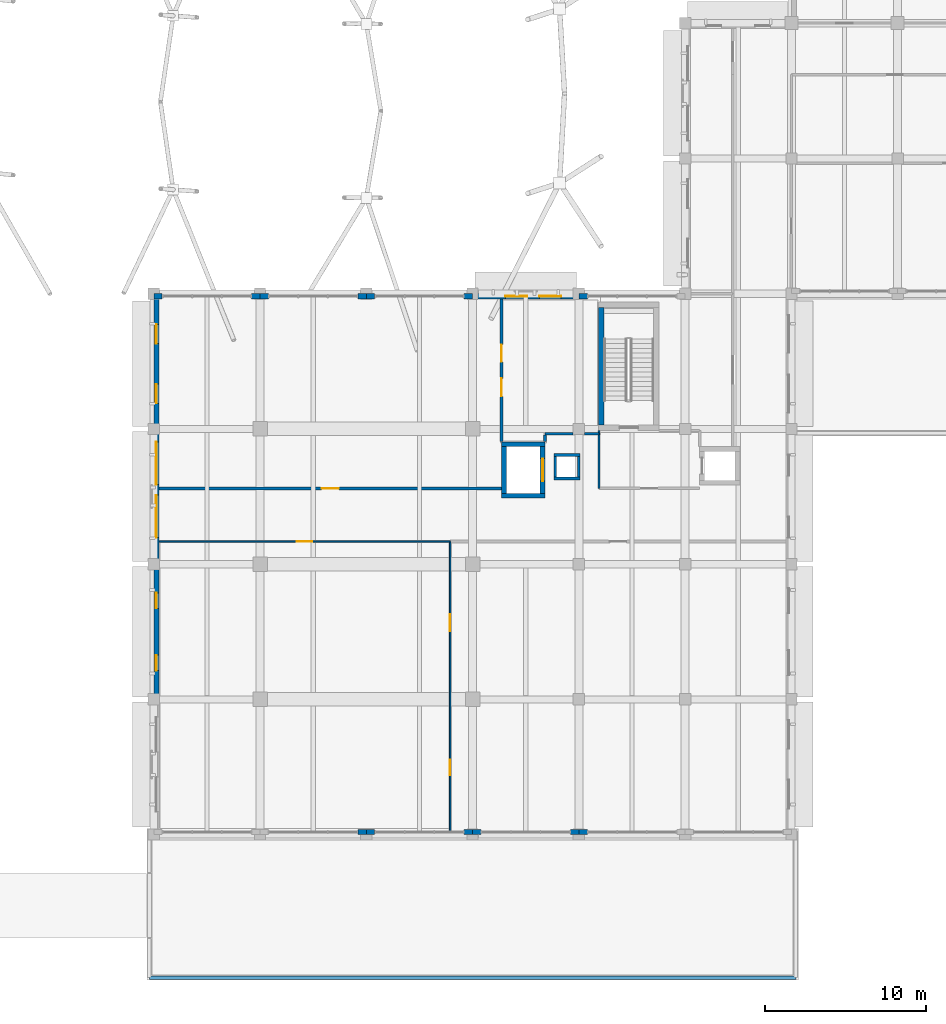
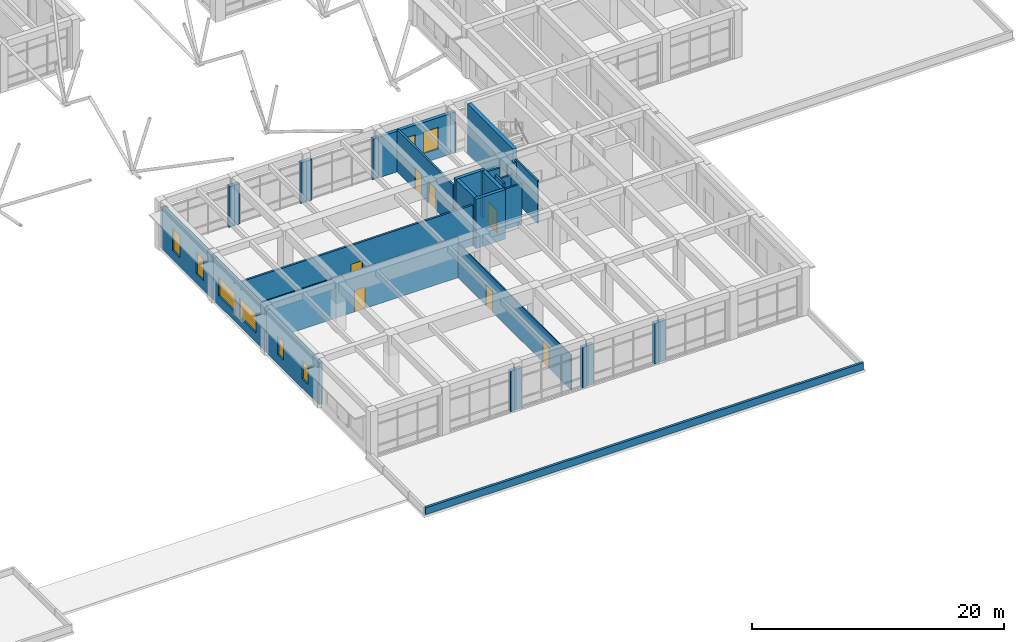
# One storey, part 45 of 75: 35 walls, 8 windows, 7 doors, 15 openings.
"""IFC4 building model written with IfcOpenShell, lengths in metres."""

import ifcopenshell
import ifcopenshell.guid

model = None  # the IFC model being written
_history = None  # IfcOwnerHistory: only IFC2X3 demands one
_inside = {}  # id of a spatial element -> (the spatial element, [elements in it])
_under = {}  # id of a project, library or spatial element -> (it, [spatial elements below it])
_declared = {}  # id of a project -> (the project, [libraries it declares])
_typed = {}  # id of a type object -> (the type object, [elements of that type])
_made_of = {}  # id of a material, layer set ... -> (it, [elements and type objects made of it])


def new_model(schema):
    """Start an empty IFC model of exactly this schema.

    Asked for "IFC4X3", IfcOpenShell would pick the latest addendum, in which some entities
    have other attributes; the version numbers below select the first issue.
    IFC2X3 requires an IfcOwnerHistory on every rooted entity: one is made here for all.
    """
    global model, _history
    if schema == "IFC4X3":
        model = ifcopenshell.file(schema_version=(4, 3, 0, 0))
    else:
        model = ifcopenshell.file(schema=schema)
    _inside.clear()
    _under.clear()
    _declared.clear()
    _typed.clear()
    _made_of.clear()
    _history = None
    if model.schema == "IFC2X3":
        org = make("IfcOrganization", Name="unknown")
        user = make(
            "IfcPersonAndOrganization",
            ThePerson=make("IfcPerson", FamilyName="unknown"),
            TheOrganization=org,
        )
        app = make(
            "IfcApplication",
            ApplicationDeveloper=org,
            Version="unknown",
            ApplicationFullName="unknown",
            ApplicationIdentifier="unknown",
        )
        _history = make(
            "IfcOwnerHistory",
            OwningUser=user,
            OwningApplication=app,
            ChangeAction="ADDED",
            CreationDate=0,
        )
    return model


def make(cls, **values):
    """One entity of the class cls with the attributes given. An attribute that is None is left unset."""
    return model.create_entity(
        cls, **{name: value for name, value in values.items() if value is not None}
    )


def rooted(cls, **values):
    """An entity with a GlobalId (a new one), such as an element, a storey or a relation."""
    return make(cls, GlobalId=ifcopenshell.guid.new(), OwnerHistory=_history, **values)


def si_unit(unit_type, name, prefix=None):
    """IfcSIUnit, for example si_unit("LENGTHUNIT", "METRE", prefix="MILLI")."""
    return make("IfcSIUnit", UnitType=unit_type, Prefix=prefix, Name=name)


def assignment(units):
    """IfcUnitAssignment: the units of a project."""
    return None if units is None else make("IfcUnitAssignment", Units=units)


def point(xyz):
    """IfcCartesianPoint."""
    return None if xyz is None else make("IfcCartesianPoint", Coordinates=xyz)


def direction(xyz):
    """IfcDirection."""
    return None if xyz is None else make("IfcDirection", DirectionRatios=xyz)


def frame(location, z_axis=None, x_axis=None):
    """IfcAxis2Placement3D, a coordinate frame: its origin and axes. An axis left out is left unset."""
    return make(
        "IfcAxis2Placement3D",
        Location=point(location),
        Axis=direction(z_axis),
        RefDirection=direction(x_axis),
    )


def frame_2d(location, x_axis=None):
    """IfcAxis2Placement2D, a coordinate frame in the plane: its origin and x axis."""
    return make(
        "IfcAxis2Placement2D", Location=point(location), RefDirection=direction(x_axis)
    )


def origin():
    """The frame at (0, 0, 0) with its axes left unset."""
    return frame((0.0, 0.0, 0.0))


def place(relative_to, where):
    """IfcLocalPlacement: puts the frame where relative to a parent placement (None: the world)."""
    return make(
        "IfcLocalPlacement", PlacementRelTo=relative_to, RelativePlacement=where
    )


def context(
    kind, dimensions, precision=None, world=None, true_north=None, identifier=None
):
    """IfcGeometricRepresentationContext, for example the 3D "Model" context."""
    return make(
        "IfcGeometricRepresentationContext",
        ContextIdentifier=identifier,
        ContextType=kind,
        CoordinateSpaceDimension=dimensions,
        Precision=precision,
        WorldCoordinateSystem=world,
        TrueNorth=true_north,
    )


def subcontext(parent, identifier, kind, view, scale=None):
    """IfcGeometricRepresentationSubContext, for example "Body" below "Model"."""
    return make(
        "IfcGeometricRepresentationSubContext",
        ContextIdentifier=identifier,
        ContextType=kind,
        ParentContext=parent,
        TargetScale=scale,
        TargetView=view,
    )


def project(units=None, contexts=None):
    """IfcProject with its units and contexts."""
    return rooted(
        "IfcProject",
        Name="project",
        RepresentationContexts=contexts,
        UnitsInContext=assignment(units),
    )


def spatial(cls, under=None, at=None, **own):
    """A site, building, storey or space (cls), placed at a placement, below another one or the project."""
    s = rooted(cls, ObjectPlacement=at, **own)
    if under is not None:
        _under.setdefault(under.id(), (under, []))[1].append(s)
    return s


def profile(cls, at=None, kind="AREA", **sizes):
    """A parametric profile (cls). Its sizes go by their IFC names, for example OverallWidth=200.0."""
    return make(cls, ProfileType=kind, Position=at, **sizes)


def rectangle(**sizes):
    """IfcRectangleProfileDef."""
    return profile("IfcRectangleProfileDef", **sizes)


def extrude(swept, where, along, depth):
    """IfcExtrudedAreaSolid: the profile swept, set in the frame where, extruded along a direction by depth."""
    return make(
        "IfcExtrudedAreaSolid",
        SweptArea=swept,
        Position=where,
        ExtrudedDirection=direction(along),
        Depth=depth,
    )


def shape(context_of_items, identifier, shape_type, items):
    """IfcShapeRepresentation: the items that make up one representation, for example the "Body"."""
    return make(
        "IfcShapeRepresentation",
        ContextOfItems=context_of_items,
        RepresentationIdentifier=identifier,
        RepresentationType=shape_type,
        Items=items,
    )


def material(Name=None, Category=None):
    """IfcMaterial."""
    return make("IfcMaterial", Name=Name, Category=Category)


def layer(
    of_material, thickness, ventilated=None, Name=None, Category=None, Priority=None
):
    """IfcMaterialLayer: one layer of a wall or slab, of a material (None: an air gap)."""
    return make(
        "IfcMaterialLayer",
        Material=of_material,
        LayerThickness=thickness,
        IsVentilated=ventilated,
        Name=Name,
        Category=Category,
        Priority=Priority,
    )


def layer_set(layers, Name=None):
    """IfcMaterialLayerSet."""
    return make("IfcMaterialLayerSet", MaterialLayers=layers, LayerSetName=Name)


def made_of(thing, what):
    """Note that an element or type object is made of a material, layer set ...; save() writes the relation."""
    if what is not None:
        _made_of.setdefault(what.id(), (what, []))[1].append(thing)
    return thing


def type_object(cls, material=None, **own):
    """A type object (cls), such as IfcWallType, which elements share."""
    return made_of(rooted(cls, **own), material)


def element(
    cls,
    number,
    at=None,
    inside=None,
    cuts=None,
    type_object=None,
    material=None,
    context=None,
    identifier="Body",
    shape_type=None,
    held_by="IfcProductDefinitionShape",
    body=None,
    shapes=None,
    **own,
):
    """One element of the class cls, such as IfcWall. Its Tag is "e" and its number.

    at: its placement. inside: the storey or other place that contains it. cuts: it is an
    opening in that element (IfcRelVoidsElement). A single representation is given by context,
    identifier, shape_type and body (its items); several are given by shapes. held_by: the class
    of the entity that holds the representations. save() writes the other relations.
    """
    e = rooted(cls, Tag="e%d" % number, ObjectPlacement=at, **own)
    if body is not None:
        shapes = [shape(context, identifier, shape_type, body)]
    if shapes is not None:
        e.Representation = make(held_by, Representations=shapes)
    if inside is not None:
        _inside.setdefault(inside.id(), (inside, []))[1].append(e)
    if cuts is not None:
        rooted(
            "IfcRelVoidsElement", RelatingBuildingElement=cuts, RelatedOpeningElement=e
        )
    if type_object is not None:
        _typed.setdefault(type_object.id(), (type_object, []))[1].append(e)
    return made_of(e, material)


def fill(opening, filler):
    """IfcRelFillsElement: the door or window that sits in an opening."""
    return rooted(
        "IfcRelFillsElement",
        RelatingOpeningElement=opening,
        RelatedBuildingElement=filler,
    )


def aggregate(whole, parts):
    """IfcRelAggregates: a whole, such as a stair, and the parts it consists of."""
    return rooted("IfcRelAggregates", RelatingObject=whole, RelatedObjects=parts)


def save(model, path):
    """Write the relations noted so far, then the file.

    IfcRelAggregates (storeys below a building ...), IfcRelContainedInSpatialStructure (elements
    in a storey), IfcRelDefinesByType, IfcRelAssociatesMaterial and IfcRelDeclares: one each for
    every whole, place, type object, material and project.
    """
    for whole, parts in _under.values():
        aggregate(whole, parts)
    for where, things in _inside.values():
        rooted(
            "IfcRelContainedInSpatialStructure",
            RelatedElements=things,
            RelatingStructure=where,
        )
    for kind, things in _typed.values():
        rooted("IfcRelDefinesByType", RelatedObjects=things, RelatingType=kind)
    for what, things in _made_of.values():
        rooted("IfcRelAssociatesMaterial", RelatedObjects=things, RelatingMaterial=what)
    for by, libraries in _declared.values():
        rooted("IfcRelDeclares", RelatingContext=by, RelatedDefinitions=libraries)
    model.write(path)


model = new_model("IFC4")

# Units and contexts
model_context = context("Model", 3, precision=1e-05, world=origin(), true_north=direction((0.0, 1.0)))
body_context = subcontext(model_context, "Body", "Model", "MODEL_VIEW")
ifc_project = project(units=[si_unit("LENGTHUNIT", "METRE"), si_unit("AREAUNIT", "SQUARE_METRE"), si_unit("VOLUMEUNIT", "CUBIC_METRE"), si_unit("PLANEANGLEUNIT", "RADIAN"), si_unit("MASSUNIT", "GRAM", prefix="KILO")], contexts=[model_context])

# Site, building, storey
site_placement = place(None, origin())
site = spatial("IfcSite", under=ifc_project, at=site_placement, CompositionType="ELEMENT")
building_placement = place(site_placement, origin())
building = spatial("IfcBuilding", under=site, at=building_placement, Name="Kolvaren Faculty of Natural Sciences", CompositionType="ELEMENT")
storey_placement = place(building_placement, frame((0.0, 0.0, 5.39990234375)))
storey = spatial("IfcBuildingStorey", under=building, at=storey_placement, Name="L01", CompositionType="ELEMENT", Elevation=5.39990234375)

# Wall
ifc_material_1 = material(Name="Concrete C40/50", Category="concrete")
ifc_layer_1 = layer(ifc_material_1, 0.35009765625)
ifc_layer_set_1 = layer_set([ifc_layer_1], Name="Concrete C40/50")
wall_type_1 = type_object("IfcWallType", Name="CoreShearWall_350", PredefinedType="SHEAR", material=ifc_layer_set_1)
wall_1_placement = place(storey_placement, frame((127.0, 34.050048828125, 0.0), z_axis=(0.0, 0.0, 1.0), x_axis=(0.0, 1.0, 0.0)))
element("IfcWall", 1, at=wall_1_placement, inside=storey, type_object=wall_type_1, Name="L01 CORE-C3 stair shear wall W", PredefinedType="SHEAR", context=body_context, shape_type="SweptSolid", body=[
    extrude(rectangle(XDim=7.27490234375, YDim=0.35009765625, at=frame_2d((3.637451171875, 0.0))), origin(), (0.0, 0.0, 1.0), 4.800048828125),
])

# Wall, opening, door
ifc_material_2 = material(Name="Acoustic mineral-wool insulated gypsum partition")
ifc_layer_2 = layer(ifc_material_2, 0.094970703125)
ifc_layer_set_2 = layer_set([ifc_layer_2], Name="Acoustic mineral-wool insulated gypsum partition")
wall_type_2 = type_object("IfcWallType", Name="CubiclePartition_095", PredefinedType="PARTITIONING", material=ifc_layer_set_2)
wall_2_placement = place(storey_placement, frame((99.52197265625, 26.800048828125, 0.0), z_axis=(0.0, 0.0, 1.0), x_axis=(1.0, 0.0, 0.0)))
wall_2 = element("IfcWall", 2, at=wall_2_placement, inside=storey, type_object=wall_type_2, Name="L01 interior partition PW-095", PredefinedType="PARTITIONING", context=body_context, shape_type="SweptSolid", body=[
    extrude(rectangle(XDim=18.078125, YDim=0.094970703125, at=frame_2d((9.0390625, 0.0))), origin(), (0.0, 0.0, 1.0), 3.93505859375),
])
opening_1_placement = place(wall_2_placement, frame((8.553955078125, 0.0, 0.0)))
opening_1 = element("IfcOpeningElement", 3, at=opening_1_placement, cuts=wall_2, Name="Opening ID-14", PredefinedType="OPENING", context=body_context, shape_type="SweptSolid", body=[
    extrude(rectangle(XDim=0.969970703125, YDim=2.10009765625, at=frame_2d((0.48486328125, 1.050048828125))), frame((0.0, 0.057373046875, 0.0), z_axis=(0.0, -1.0, 0.0), x_axis=(1.0, 0.0, 0.0)), (0.0, 0.0, 1.0), 0.114990234375),
])
ifc_material_3 = material(Name="Solid-core hardwood veneer door leaf in steel frame", Category="steel")
door_type_1 = type_object("IfcDoorType", Name="InteriorRoomDoor_970x2100", OperationType="NOTDEFINED", PredefinedType="DOOR", material=ifc_material_3)
door_1_placement = place(opening_1_placement, origin())
door_1 = element("IfcDoor", 4, at=door_1_placement, inside=storey, type_object=door_type_1, Name="D-L01-0145", OperationType="SINGLE_SWING_LEFT", OverallHeight=2.10009765625, OverallWidth=0.969970703125, PredefinedType="DOOR", context=body_context, shape_type="SweptSolid", body=[
    extrude(rectangle(XDim=0.969970703125, YDim=2.10009765625, at=frame_2d((0.48486328125, 1.050048828125))), frame((0.0, 0.02490234375, 0.0), z_axis=(0.0, -1.0, 0.0), x_axis=(1.0, 0.0, 0.0)), (0.0, 0.0, 1.0), 0.050048828125),
])
fill(opening_1, door_1)

# Wall, openings, doors
wall_3_placement = place(storey_placement, frame((117.60009765625, 26.800048828125, 0.0), z_axis=(0.0, 0.0, 1.0), x_axis=(0.0, -1.0, 0.0)))
wall_3 = element("IfcWall", 5, at=wall_3_placement, inside=storey, type_object=wall_type_2, Name="L01 interior partition PW-095", PredefinedType="PARTITIONING", context=body_context, shape_type="SweptSolid", body=[
    extrude(rectangle(XDim=18.0, YDim=0.094970703125, at=frame_2d((9.0, 0.0))), origin(), (0.0, 0.0, 1.0), 3.385009765625),
])
opening_2_placement = place(wall_3_placement, frame((13.554931640625, 0.0, 0.0)))
opening_2 = element("IfcOpeningElement", 6, at=opening_2_placement, cuts=wall_3, Name="Opening ID-14", PredefinedType="OPENING", context=body_context, shape_type="SweptSolid", body=[
    extrude(rectangle(XDim=0.969970703125, YDim=2.10009765625, at=frame_2d((0.48486328125, 1.050048828125))), frame((0.0, 0.057373046875, 0.0), z_axis=(0.0, -1.0, 0.0), x_axis=(1.0, 0.0, 0.0)), (0.0, 0.0, 1.0), 0.114990234375),
])
opening_3_placement = place(wall_3_placement, frame((4.52490234375, 0.0, 0.0)))
opening_3 = element("IfcOpeningElement", 7, at=opening_3_placement, cuts=wall_3, Name="Opening ID-15", PredefinedType="OPENING", context=body_context, shape_type="SweptSolid", body=[
    extrude(rectangle(XDim=1.030029296875, YDim=2.10009765625, at=frame_2d((0.51513671875, 1.050048828125))), frame((0.0, 0.057373046875, 0.0), z_axis=(0.0, -1.0, 0.0), x_axis=(1.0, 0.0, 0.0)), (0.0, 0.0, 1.0), 0.114990234375),
])
door_type_2 = type_object("IfcDoorType", Name="InteriorRoomDoor_1030x2100", OperationType="NOTDEFINED", PredefinedType="DOOR", material=ifc_material_3)
door_2_placement = place(opening_3_placement, origin())
door_2 = element("IfcDoor", 8, at=door_2_placement, inside=storey, type_object=door_type_2, Name="D-L01-0148", OperationType="SINGLE_SWING_RIGHT", OverallHeight=2.10009765625, OverallWidth=1.030029296875, PredefinedType="DOOR", context=body_context, shape_type="SweptSolid", body=[
    extrude(rectangle(XDim=1.030029296875, YDim=2.10009765625, at=frame_2d((0.51513671875, 1.050048828125))), frame((0.0, 0.02490234375, 0.0), z_axis=(0.0, -1.0, 0.0), x_axis=(1.0, 0.0, 0.0)), (0.0, 0.0, 1.0), 0.050048828125),
])
fill(opening_3, door_2)
door_3_placement = place(opening_2_placement, origin())
door_3 = element("IfcDoor", 9, at=door_3_placement, inside=storey, type_object=door_type_1, Name="D-L01-0146", OperationType="SINGLE_SWING_RIGHT", OverallHeight=2.10009765625, OverallWidth=0.969970703125, PredefinedType="DOOR", context=body_context, shape_type="SweptSolid", body=[
    extrude(rectangle(XDim=0.969970703125, YDim=2.10009765625, at=frame_2d((0.48486328125, 1.050048828125))), frame((0.0, 0.02490234375, 0.0), z_axis=(0.0, -1.0, 0.0), x_axis=(1.0, 0.0, 0.0)), (0.0, 0.0, 1.0), 0.050048828125),
])
fill(opening_2, door_3)

# Walls
ifc_material_4 = material(Name="Sandstone-faced insulated cavity masonry", Category="masonry")
ifc_layer_3 = layer(ifc_material_4, 0.320068359375)
ifc_layer_set_3 = layer_set([ifc_layer_3], Name="Sandstone-faced insulated cavity masonry")
wall_type_3 = type_object("IfcWallType", Name="ExteriorCavityWall_320", PredefinedType="STANDARD", material=ifc_layer_set_3)
for number, where, z_axis, x_axis, name in (
    (10, (126.1201171875, 8.760009765625, 0.0), (0.0, 0.0, 1.0), (-1.0, 0.0, 0.0), "L01 curtain-wall pier stub 235"),
    (11, (125.60009765625, 8.760009765625, 0.0), (0.0, 0.0, 1.0), (-1.0, 0.0, 0.0), "L01 curtain-wall pier stub 236"),
    (12, (119.52001953125, 8.760009765625, 0.0), (0.0, 0.0, 1.0), (-1.0, 0.0, 0.0), "L01 curtain-wall pier stub 237"),
    (13, (119.0, 8.760009765625, 0.0), (0.0, 0.0, 1.0), (-1.0, 0.0, 0.0), "L01 curtain-wall pier stub 238"),
    (14, (112.919921875, 8.760009765625, 0.0), (0.0, 0.0, 1.0), (-1.0, 0.0, 0.0), "L01 curtain-wall pier stub 239"),
    (15, (112.39990234375, 8.760009765625, 0.0), (0.0, 0.0, 1.0), (-1.0, 0.0, 0.0), "L01 curtain-wall pier stub 240"),
):
    element("IfcWall", number, at=place(storey_placement, frame(where, z_axis=z_axis, x_axis=x_axis)), inside=storey, type_object=wall_type_3, Name=name, PredefinedType="STANDARD", context=body_context, shape_type="SweptSolid", body=[
        extrude(rectangle(XDim=0.52001953125, YDim=0.320068359375, at=frame_2d((0.260009765625, 0.0))), origin(), (0.0, 0.0, 1.0), 3.93505859375),
    ])

# Wall, openings, windows
wall_4_placement = place(storey_placement, frame((99.360107421875, 17.0, 0.0), z_axis=(0.0, 0.0, 1.0), x_axis=(0.0, 1.0, 0.0)))
wall_4 = element("IfcWall", 16, at=wall_4_placement, inside=storey, type_object=wall_type_3, Name="L01 exterior masonry wall EW-320 (245)", PredefinedType="STANDARD", context=body_context, shape_type="SweptSolid", body=[
    extrude(rectangle(XDim=8.39990234375, YDim=0.320068359375, at=frame_2d((4.199951171875, 0.0))), origin(), (0.0, 0.0, 1.0), 4.085205078125),
])
opening_4_placement = place(wall_4_placement, frame((1.79296875, 0.0, 0.89990234375)))
opening_4 = element("IfcOpeningElement", 17, at=opening_4_placement, cuts=wall_4, Name="Opening WIN-23", PredefinedType="OPENING", context=body_context, shape_type="SweptSolid", body=[
    extrude(rectangle(XDim=0.949951171875, YDim=1.800048828125, at=frame_2d((0.47509765625, 0.89990234375))), frame((0.0, 0.169921875, 0.0), z_axis=(0.0, -1.0, 0.0), x_axis=(1.0, 0.0, 0.0)), (0.0, 0.0, 1.0), 0.340087890625),
])
opening_5_placement = place(wall_4_placement, frame((5.656982421875, 0.0, 0.89990234375)))
opening_5 = element("IfcOpeningElement", 18, at=opening_5_placement, cuts=wall_4, Name="Opening WIN-23", PredefinedType="OPENING", context=body_context, shape_type="SweptSolid", body=[
    extrude(rectangle(XDim=0.949951171875, YDim=1.800048828125, at=frame_2d((0.47509765625, 0.89990234375))), frame((0.0, 0.169921875, 0.0), z_axis=(0.0, -1.0, 0.0), x_axis=(1.0, 0.0, 0.0)), (0.0, 0.0, 1.0), 0.340087890625),
])
ifc_material_5 = material(Name="Double low-E solar control insulated glazing", Category="glass")
window_type_1 = type_object("IfcWindowType", Name="AluWindow_WIN23_950x1800", PartitioningType="SINGLE_PANEL", PredefinedType="WINDOW", material=ifc_material_5)
window_1_placement = place(opening_4_placement, origin())
window_1 = element("IfcWindow", 19, at=window_1_placement, inside=storey, type_object=window_type_1, Name="WIN-L01-0209", OverallHeight=1.800048828125, OverallWidth=0.949951171875, PartitioningType="SINGLE_PANEL", PredefinedType="WINDOW", context=body_context, shape_type="SweptSolid", body=[
    extrude(rectangle(XDim=0.949951171875, YDim=1.800048828125, at=frame_2d((0.47509765625, 0.89990234375))), frame((0.0, 0.030029296875, 0.0), z_axis=(0.0, -1.0, 0.0), x_axis=(1.0, 0.0, 0.0)), (0.0, 0.0, 1.0), 0.06005859375),
])
fill(opening_4, window_1)
window_2_placement = place(opening_5_placement, origin())
window_2 = element("IfcWindow", 20, at=window_2_placement, inside=storey, type_object=window_type_1, Name="WIN-L01-0210", OverallHeight=1.800048828125, OverallWidth=0.949951171875, PartitioningType="SINGLE_PANEL", PredefinedType="WINDOW", context=body_context, shape_type="SweptSolid", body=[
    extrude(rectangle(XDim=0.949951171875, YDim=1.800048828125, at=frame_2d((0.47509765625, 0.89990234375))), frame((0.0, 0.030029296875, 0.0), z_axis=(0.0, -1.0, 0.0), x_axis=(1.0, 0.0, 0.0)), (0.0, 0.0, 1.0), 0.06005859375),
])
fill(opening_5, window_2)

wall_5_placement = place(storey_placement, frame((99.360107421875, 25.39990234375, 0.0), z_axis=(0.0, 0.0, 1.0), x_axis=(0.0, 1.0, 0.0)))
wall_5 = element("IfcWall", 21, at=wall_5_placement, inside=storey, type_object=wall_type_3, Name="L01 exterior masonry wall EW-320 (246)", PredefinedType="STANDARD", context=body_context, shape_type="SweptSolid", body=[
    extrude(rectangle(XDim=8.400146484375, YDim=0.320068359375, at=frame_2d((4.2001953125, 0.0))), origin(), (0.0, 0.0, 1.0), 4.085205078125),
])
opening_6_placement = place(wall_5_placement, frame((1.639892578125, 0.0, 0.89990234375)))
opening_6 = element("IfcOpeningElement", 22, at=opening_6_placement, cuts=wall_5, Name="Opening WIN-24", PredefinedType="OPENING", context=body_context, shape_type="SweptSolid", body=[
    extrude(rectangle(XDim=2.64990234375, YDim=1.85009765625, at=frame_2d((1.324951171875, 0.925048828125))), frame((0.0, 0.169921875, 0.0), z_axis=(0.0, -1.0, 0.0), x_axis=(1.0, 0.0, 0.0)), (0.0, 0.0, 1.0), 0.340087890625),
])
opening_7_placement = place(wall_5_placement, frame((4.93994140625, 0.0, 0.89990234375)))
opening_7 = element("IfcOpeningElement", 23, at=opening_7_placement, cuts=wall_5, Name="Opening WIN-24", PredefinedType="OPENING", context=body_context, shape_type="SweptSolid", body=[
    extrude(rectangle(XDim=2.64990234375, YDim=1.85009765625, at=frame_2d((1.324951171875, 0.925048828125))), frame((0.0, 0.169921875, 0.0), z_axis=(0.0, -1.0, 0.0), x_axis=(1.0, 0.0, 0.0)), (0.0, 0.0, 1.0), 0.340087890625),
])
window_type_2 = type_object("IfcWindowType", Name="AluWindow_WIN24_2650x1850", PartitioningType="SINGLE_PANEL", PredefinedType="WINDOW", material=ifc_material_5)
window_3_placement = place(opening_6_placement, origin())
window_3 = element("IfcWindow", 24, at=window_3_placement, inside=storey, type_object=window_type_2, Name="WIN-L01-0211", OverallHeight=1.85009765625, OverallWidth=2.64990234375, PartitioningType="SINGLE_PANEL", PredefinedType="WINDOW", context=body_context, shape_type="SweptSolid", body=[
    extrude(rectangle(XDim=2.64990234375, YDim=1.85009765625, at=frame_2d((1.324951171875, 0.925048828125))), frame((0.0, 0.030029296875, 0.0), z_axis=(0.0, -1.0, 0.0), x_axis=(1.0, 0.0, 0.0)), (0.0, 0.0, 1.0), 0.06005859375),
])
fill(opening_6, window_3)
window_4_placement = place(opening_7_placement, origin())
window_4 = element("IfcWindow", 25, at=window_4_placement, inside=storey, type_object=window_type_2, Name="WIN-L01-0212", OverallHeight=1.85009765625, OverallWidth=2.64990234375, PartitioningType="SINGLE_PANEL", PredefinedType="WINDOW", context=body_context, shape_type="SweptSolid", body=[
    extrude(rectangle(XDim=2.64990234375, YDim=1.85009765625, at=frame_2d((1.324951171875, 0.925048828125))), frame((0.0, 0.030029296875, 0.0), z_axis=(0.0, -1.0, 0.0), x_axis=(1.0, 0.0, 0.0)), (0.0, 0.0, 1.0), 0.06005859375),
])
fill(opening_7, window_4)

wall_6_placement = place(storey_placement, frame((99.360107421875, 33.800048828125, 0.0), z_axis=(0.0, 0.0, 1.0), x_axis=(0.0, 1.0, 0.0)))
wall_6 = element("IfcWall", 26, at=wall_6_placement, inside=storey, type_object=wall_type_3, Name="L01 exterior masonry wall EW-320 (247)", PredefinedType="STANDARD", context=body_context, shape_type="SweptSolid", body=[
    extrude(rectangle(XDim=8.079833984375, YDim=0.320068359375, at=frame_2d((4.0400390625, 0.0))), origin(), (0.0, 0.0, 1.0), 4.085205078125),
])
opening_8_placement = place(wall_6_placement, frame((1.58154296875, 0.0, 0.89990234375)))
opening_8 = element("IfcOpeningElement", 27, at=opening_8_placement, cuts=wall_6, Name="Opening WIN-01", PredefinedType="OPENING", context=body_context, shape_type="SweptSolid", body=[
    extrude(rectangle(XDim=1.199951171875, YDim=2.10009765625, at=frame_2d((0.60009765625, 1.050048828125))), frame((0.0, 0.169921875, 0.0), z_axis=(0.0, -1.0, 0.0), x_axis=(1.0, 0.0, 0.0)), (0.0, 0.0, 1.0), 0.340087890625),
])
opening_9_placement = place(wall_6_placement, frame((5.29833984375, 0.0, 0.89990234375)))
opening_9 = element("IfcOpeningElement", 28, at=opening_9_placement, cuts=wall_6, Name="Opening WIN-01", PredefinedType="OPENING", context=body_context, shape_type="SweptSolid", body=[
    extrude(rectangle(XDim=1.199951171875, YDim=2.10009765625, at=frame_2d((0.60009765625, 1.050048828125))), frame((0.0, 0.169921875, 0.0), z_axis=(0.0, -1.0, 0.0), x_axis=(1.0, 0.0, 0.0)), (0.0, 0.0, 1.0), 0.340087890625),
])
window_type_3 = type_object("IfcWindowType", Name="AluWindow_WIN01_1200x2100", PartitioningType="SINGLE_PANEL", PredefinedType="WINDOW", material=ifc_material_5)
window_5_placement = place(opening_8_placement, origin())
window_5 = element("IfcWindow", 29, at=window_5_placement, inside=storey, type_object=window_type_3, Name="WIN-L01-0213", OverallHeight=2.10009765625, OverallWidth=1.199951171875, PartitioningType="SINGLE_PANEL", PredefinedType="WINDOW", context=body_context, shape_type="SweptSolid", body=[
    extrude(rectangle(XDim=1.199951171875, YDim=2.10009765625, at=frame_2d((0.60009765625, 1.050048828125))), frame((0.0, 0.030029296875, 0.0), z_axis=(0.0, -1.0, 0.0), x_axis=(1.0, 0.0, 0.0)), (0.0, 0.0, 1.0), 0.06005859375),
])
fill(opening_8, window_5)
window_6_placement = place(opening_9_placement, origin())
window_6 = element("IfcWindow", 30, at=window_6_placement, inside=storey, type_object=window_type_3, Name="WIN-L01-0214", OverallHeight=2.10009765625, OverallWidth=1.199951171875, PartitioningType="SINGLE_PANEL", PredefinedType="WINDOW", context=body_context, shape_type="SweptSolid", body=[
    extrude(rectangle(XDim=1.199951171875, YDim=2.10009765625, at=frame_2d((0.60009765625, 1.050048828125))), frame((0.0, 0.030029296875, 0.0), z_axis=(0.0, -1.0, 0.0), x_axis=(1.0, 0.0, 0.0)), (0.0, 0.0, 1.0), 0.06005859375),
])
fill(opening_9, window_6)

# Walls
for number, where, z_axis, x_axis, name in (
    (31, (99.199951171875, 42.0400390625, 0.0), (0.0, 0.0, 1.0), (1.0, 0.0, 0.0), "L01 curtain-wall pier stub 248"),
    (32, (105.280029296875, 42.0400390625, 0.0), (0.0, 0.0, 1.0), (1.0, 0.0, 0.0), "L01 curtain-wall pier stub 249"),
    (33, (105.800048828125, 42.0400390625, 0.0), (0.0, 0.0, 1.0), (1.0, 0.0, 0.0), "L01 curtain-wall pier stub 250"),
    (34, (111.8798828125, 42.0400390625, 0.0), (0.0, 0.0, 1.0), (1.0, 0.0, 0.0), "L01 curtain-wall pier stub 251"),
    (35, (112.39990234375, 42.0400390625, 0.0), (0.0, 0.0, 1.0), (1.0, 0.0, 0.0), "L01 curtain-wall pier stub 252"),
    (36, (118.47998046875, 42.0400390625, 0.0), (0.0, 0.0, 1.0), (1.0, 0.0, 0.0), "L01 curtain-wall pier stub 253"),
):
    element("IfcWall", number, at=place(storey_placement, frame(where, z_axis=z_axis, x_axis=x_axis)), inside=storey, type_object=wall_type_3, Name=name, PredefinedType="STANDARD", context=body_context, shape_type="SweptSolid", body=[
        extrude(rectangle(XDim=0.52001953125, YDim=0.320068359375, at=frame_2d((0.260009765625, 0.0))), origin(), (0.0, 0.0, 1.0), 3.93505859375),
    ])

# Wall, openings, windows
wall_7_placement = place(storey_placement, frame((119.0, 42.0400390625, 0.0), z_axis=(0.0, 0.0, 1.0), x_axis=(1.0, 0.0, 0.0)))
wall_7 = element("IfcWall", 37, at=wall_7_placement, inside=storey, type_object=wall_type_3, Name="L01 exterior masonry wall EW-320 (254)", PredefinedType="STANDARD", context=body_context, shape_type="SweptSolid", body=[
    extrude(rectangle(XDim=6.60009765625, YDim=0.320068359375, at=frame_2d((3.300048828125, 0.0))), origin(), (0.0, 0.0, 1.0), 3.93505859375),
])
opening_10_placement = place(wall_7_placement, frame((2.0400390625, 0.0, 0.89990234375)))
opening_10 = element("IfcOpeningElement", 38, at=opening_10_placement, cuts=wall_7, Name="Opening WIN-02", PredefinedType="OPENING", context=body_context, shape_type="SweptSolid", body=[
    extrude(rectangle(XDim=1.35009765625, YDim=2.10009765625, at=frame_2d((0.675048828125, 1.050048828125))), frame((0.0, 0.169921875, 0.0), z_axis=(0.0, -1.0, 0.0), x_axis=(1.0, 0.0, 0.0)), (0.0, 0.0, 1.0), 0.340087890625),
])
opening_11_placement = place(wall_7_placement, frame((4.14306640625, 0.0, 0.89990234375)))
opening_11 = element("IfcOpeningElement", 39, at=opening_11_placement, cuts=wall_7, Name="Opening WIN-02", PredefinedType="OPENING", context=body_context, shape_type="SweptSolid", body=[
    extrude(rectangle(XDim=1.35009765625, YDim=2.10009765625, at=frame_2d((0.675048828125, 1.050048828125))), frame((0.0, 0.169921875, 0.0), z_axis=(0.0, -1.0, 0.0), x_axis=(1.0, 0.0, 0.0)), (0.0, 0.0, 1.0), 0.340087890625),
])
window_type_4 = type_object("IfcWindowType", Name="AluWindow_WIN02_1350x2100", PartitioningType="SINGLE_PANEL", PredefinedType="WINDOW", material=ifc_material_5)
window_7_placement = place(opening_10_placement, origin())
window_7 = element("IfcWindow", 40, at=window_7_placement, inside=storey, type_object=window_type_4, Name="WIN-L01-0215", OverallHeight=2.10009765625, OverallWidth=1.35009765625, PartitioningType="SINGLE_PANEL", PredefinedType="WINDOW", context=body_context, shape_type="SweptSolid", body=[
    extrude(rectangle(XDim=1.35009765625, YDim=2.10009765625, at=frame_2d((0.675048828125, 1.050048828125))), frame((0.0, 0.030029296875, 0.0), z_axis=(0.0, -1.0, 0.0), x_axis=(1.0, 0.0, 0.0)), (0.0, 0.0, 1.0), 0.06005859375),
])
fill(opening_10, window_7)
window_8_placement = place(opening_11_placement, origin())
window_8 = element("IfcWindow", 41, at=window_8_placement, inside=storey, type_object=window_type_4, Name="WIN-L01-0216", OverallHeight=2.10009765625, OverallWidth=1.35009765625, PartitioningType="SINGLE_PANEL", PredefinedType="WINDOW", context=body_context, shape_type="SweptSolid", body=[
    extrude(rectangle(XDim=1.35009765625, YDim=2.10009765625, at=frame_2d((0.675048828125, 1.050048828125))), frame((0.0, 0.030029296875, 0.0), z_axis=(0.0, -1.0, 0.0), x_axis=(1.0, 0.0, 0.0)), (0.0, 0.0, 1.0), 0.06005859375),
])
fill(opening_11, window_8)

# Wall
wall_8_placement = place(storey_placement, frame((125.60009765625, 42.0400390625, 0.0), z_axis=(0.0, 0.0, 1.0), x_axis=(1.0, 0.0, 0.0)))
element("IfcWall", 42, at=wall_8_placement, inside=storey, type_object=wall_type_3, Name="L01 curtain-wall pier stub 255", PredefinedType="STANDARD", context=body_context, shape_type="SweptSolid", body=[
    extrude(rectangle(XDim=0.52001953125, YDim=0.320068359375, at=frame_2d((0.260009765625, 0.0))), origin(), (0.0, 0.0, 1.0), 3.93505859375),
])

# Wall, openings, doors
ifc_layer_4 = layer(ifc_material_2, 0.179931640625)
ifc_layer_set_4 = layer_set([ifc_layer_4], Name="Acoustic mineral-wool insulated gypsum partition")
wall_type_4 = type_object("IfcWallType", Name="LabPartitionWall_180", PredefinedType="PARTITIONING", material=ifc_layer_set_4)
wall_9_placement = place(storey_placement, frame((120.800048828125, 41.8779296875, 0.0), z_axis=(0.0, 0.0, 1.0), x_axis=(0.0, -1.0, 0.0)))
wall_9 = element("IfcWall", 43, at=wall_9_placement, inside=storey, type_object=wall_type_4, Name="L01 interior partition PW-180", PredefinedType="PARTITIONING", context=body_context, shape_type="SweptSolid", body=[
    extrude(rectangle(XDim=8.8759765625, YDim=0.179931640625, at=frame_2d((4.43798828125, 0.0))), origin(), (0.0, 0.0, 1.0), 4.085205078125),
])
opening_12_placement = place(wall_9_placement, frame((2.837890625, 0.0, 0.0)))
opening_12 = element("IfcOpeningElement", 44, at=opening_12_placement, cuts=wall_9, Name="Opening ID-16", PredefinedType="OPENING", context=body_context, shape_type="SweptSolid", body=[
    extrude(rectangle(XDim=1.070068359375, YDim=2.10009765625, at=frame_2d((0.53515625, 1.050048828125))), frame((0.0, 0.099853515625, 0.0), z_axis=(0.0, -1.0, 0.0), x_axis=(1.0, 0.0, 0.0)), (0.0, 0.0, 1.0), 0.199951171875),
])
opening_13_placement = place(wall_9_placement, frame((4.943115234375, 0.0, 0.0)))
opening_13 = element("IfcOpeningElement", 45, at=opening_13_placement, cuts=wall_9, Name="Opening ID-17", PredefinedType="OPENING", context=body_context, shape_type="SweptSolid", body=[
    extrude(rectangle(XDim=1.1201171875, YDim=2.10009765625, at=frame_2d((0.56005859375, 1.050048828125))), frame((0.0, 0.099853515625, 0.0), z_axis=(0.0, -1.0, 0.0), x_axis=(1.0, 0.0, 0.0)), (0.0, 0.0, 1.0), 0.199951171875),
])
door_type_3 = type_object("IfcDoorType", Name="InteriorRoomDoor_1070x2100", OperationType="NOTDEFINED", PredefinedType="DOOR", material=ifc_material_3)
door_4_placement = place(opening_12_placement, origin())
door_4 = element("IfcDoor", 46, at=door_4_placement, inside=storey, type_object=door_type_3, Name="D-L01-0150", OperationType="SINGLE_SWING_RIGHT", OverallHeight=2.10009765625, OverallWidth=1.070068359375, PredefinedType="DOOR", context=body_context, shape_type="SweptSolid", body=[
    extrude(rectangle(XDim=1.070068359375, YDim=2.10009765625, at=frame_2d((0.53515625, 1.050048828125))), frame((0.0, 0.02490234375, 0.0), z_axis=(0.0, -1.0, 0.0), x_axis=(1.0, 0.0, 0.0)), (0.0, 0.0, 1.0), 0.050048828125),
])
fill(opening_12, door_4)
door_type_4 = type_object("IfcDoorType", Name="InteriorRoomDoor_1120x2100", OperationType="NOTDEFINED", PredefinedType="DOOR", material=ifc_material_3)
door_5_placement = place(opening_13_placement, origin())
door_5 = element("IfcDoor", 47, at=door_5_placement, inside=storey, type_object=door_type_4, Name="D-L01-0151", OperationType="SINGLE_SWING_LEFT", OverallHeight=2.10009765625, OverallWidth=1.1201171875, PredefinedType="DOOR", context=body_context, shape_type="SweptSolid", body=[
    extrude(rectangle(XDim=1.1201171875, YDim=2.10009765625, at=frame_2d((0.56005859375, 1.050048828125))), frame((0.0, 0.02490234375, 0.0), z_axis=(0.0, -1.0, 0.0), x_axis=(1.0, 0.0, 0.0)), (0.0, 0.0, 1.0), 0.050048828125),
])
fill(opening_13, door_5)

# Wall, opening, door
wall_10_placement = place(storey_placement, frame((120.798095703125, 30.10009765625, 0.0), z_axis=(0.0, 0.0, 1.0), x_axis=(-1.0, 0.0, 0.0)))
wall_10 = element("IfcWall", 48, at=wall_10_placement, inside=storey, type_object=wall_type_4, Name="L01 interior partition PW-180", PredefinedType="PARTITIONING", context=body_context, shape_type="SweptSolid", body=[
    extrude(rectangle(XDim=21.276123046875, YDim=0.179931640625, at=frame_2d((10.63818359375, 0.0))), origin(), (0.0, 0.0, 1.0), 3.93505859375),
])
opening_14_placement = place(wall_10_placement, frame((10.10302734375, 0.0, 0.0)))
opening_14 = element("IfcOpeningElement", 49, at=opening_14_placement, cuts=wall_10, Name="Opening ID-16", PredefinedType="OPENING", context=body_context, shape_type="SweptSolid", body=[
    extrude(rectangle(XDim=1.070068359375, YDim=2.10009765625, at=frame_2d((0.53515625, 1.050048828125))), frame((0.0, 0.099853515625, 0.0), z_axis=(0.0, -1.0, 0.0), x_axis=(1.0, 0.0, 0.0)), (0.0, 0.0, 1.0), 0.199951171875),
])
door_6_placement = place(opening_14_placement, origin())
door_6 = element("IfcDoor", 50, at=door_6_placement, inside=storey, type_object=door_type_3, Name="D-L01-0149", OperationType="SINGLE_SWING_LEFT", OverallHeight=2.10009765625, OverallWidth=1.070068359375, PredefinedType="DOOR", context=body_context, shape_type="SweptSolid", body=[
    extrude(rectangle(XDim=1.070068359375, YDim=2.10009765625, at=frame_2d((0.53515625, 1.050048828125))), frame((0.0, 0.02490234375, 0.0), z_axis=(0.0, -1.0, 0.0), x_axis=(1.0, 0.0, 0.0)), (0.0, 0.0, 1.0), 0.050048828125),
])
fill(opening_14, door_6)

# Walls
ifc_material_6 = material(Name="Precast concrete C35/45", Category="concrete")
ifc_layer_5 = layer(ifc_material_6, 0.219970703125)
ifc_layer_set_5 = layer_set([ifc_layer_5], Name="Precast concrete C35/45")
wall_type_5 = type_object("IfcWallType", Name="ParapetUpstandWall_220", PredefinedType="PARAPET", material=ifc_layer_set_5)
wall_11_placement = place(storey_placement, frame((139.080078125, -0.280029296875, 0.0), z_axis=(0.0, 0.0, 1.0), x_axis=(-1.0, 0.0, 0.0)))
element("IfcWall", 51, at=wall_11_placement, inside=storey, type_object=wall_type_5, Name="L01 architectural sandstone roof parapet 4", PredefinedType="PARAPET", context=body_context, shape_type="SweptSolid", body=[
    extrude(rectangle(XDim=40.16015625, YDim=0.219970703125, at=frame_2d((20.080078125, 0.0))), origin(), (0.0, 0.0, 1.0), 0.68017578125),
])
ifc_material_7 = material(Name="Double fire-rated gypsum board on 100 mm steel stud", Category="steel")
ifc_layer_6 = layer(ifc_material_7, 0.14990234375)
ifc_layer_set_6 = layer_set([ifc_layer_6], Name="Double fire-rated gypsum board on 100 mm steel stud")
wall_type_6 = type_object("IfcWallType", Name="RatedCorridorWall_150", PredefinedType="PARTITIONING", material=ifc_layer_set_6)
wall_12_placement = place(storey_placement, frame((126.85009765625, 30.10009765625, 0.0), z_axis=(0.0, 0.0, 1.0), x_axis=(0.0, 1.0, 0.0)))
element("IfcWall", 52, at=wall_12_placement, inside=storey, type_object=wall_type_6, Name="L01 interior partition LW-150", PredefinedType="PARTITIONING", context=body_context, shape_type="SweptSolid", body=[
    extrude(rectangle(XDim=3.597900390625, YDim=0.14990234375, at=frame_2d((1.798828125, 0.0))), origin(), (0.0, 0.0, 1.0), 4.135009765625),
])
ifc_layer_7 = layer(ifc_material_7, 0.159912109375)
ifc_layer_set_7 = layer_set([ifc_layer_7], Name="Double fire-rated gypsum board on 100 mm steel stud")
wall_type_7 = type_object("IfcWallType", Name="RiserShaftWall_160", PredefinedType="PARTITIONING", material=ifc_layer_set_7)
for number, where, z_axis, x_axis, name in (
    (53, (124.0400390625, 30.719970703125, 0.0), (0.0, 0.0, 1.0), (1.0, 0.0, 0.0), "L01 service riser shaft wall S"),
    (54, (124.0400390625, 32.179931640625, 0.0), (0.0, 0.0, 1.0), (1.0, 0.0, 0.0), "L01 service riser shaft wall N"),
):
    element("IfcWall", number, at=place(storey_placement, frame(where, z_axis=z_axis, x_axis=x_axis)), inside=storey, type_object=wall_type_7, Name=name, PredefinedType="PARTITIONING", context=body_context, shape_type="SweptSolid", body=[
        extrude(rectangle(XDim=1.619873046875, YDim=0.159912109375, at=frame_2d((0.81005859375, 0.0))), origin(), (0.0, 0.0, 1.0), 3.93505859375),
    ])
wall_13_placement = place(storey_placement, frame((124.1201171875, 30.800048828125, 0.0), z_axis=(0.0, 0.0, 1.0), x_axis=(0.0, 1.0, 0.0)))
element("IfcWall", 55, at=wall_13_placement, inside=storey, type_object=wall_type_7, Name="L01 service riser shaft wall W", PredefinedType="PARTITIONING", context=body_context, shape_type="SweptSolid", body=[
    extrude(rectangle(XDim=1.300048828125, YDim=0.159912109375, at=frame_2d((0.64990234375, 0.0))), origin(), (0.0, 0.0, 1.0), 4.445068359375),
])
wall_14_placement = place(storey_placement, frame((125.580078125, 30.800048828125, 0.0), z_axis=(0.0, 0.0, 1.0), x_axis=(0.0, 1.0, 0.0)))
element("IfcWall", 56, at=wall_14_placement, inside=storey, type_object=wall_type_7, Name="L01 service riser shaft wall E", PredefinedType="PARTITIONING", context=body_context, shape_type="SweptSolid", body=[
    extrude(rectangle(XDim=1.300048828125, YDim=0.159912109375, at=frame_2d((0.64990234375, 0.0))), origin(), (0.0, 0.0, 1.0), 3.93505859375),
])
ifc_layer_8 = layer(ifc_material_2, 0.169921875)
ifc_layer_set_8 = layer_set([ifc_layer_8], Name="Acoustic mineral-wool insulated gypsum partition")
wall_type_8 = type_object("IfcWallType", Name="SeminarPartitionWall_170", PredefinedType="PARTITIONING", material=ifc_layer_set_8)
wall_15_placement = place(storey_placement, frame((126.85009765625, 33.5, 0.0), z_axis=(0.0, 0.0, 1.0), x_axis=(-1.0, 0.0, 0.0)))
element("IfcWall", 57, at=wall_15_placement, inside=storey, type_object=wall_type_8, Name="L01 interior partition PW-170", PredefinedType="PARTITIONING", context=body_context, shape_type="SweptSolid", body=[
    extrude(rectangle(XDim=0.900146484375, YDim=0.169921875, at=frame_2d((0.4501953125, 0.0))), origin(), (0.0, 0.0, 1.0), 3.93505859375),
])
wall_16_placement = place(storey_placement, frame((125.25, 33.5, 0.0), z_axis=(0.0, 0.0, 1.0), x_axis=(-1.0, 0.0, 0.0)))
element("IfcWall", 58, at=wall_16_placement, inside=storey, type_object=wall_type_8, Name="L01 interior partition PW-170", PredefinedType="PARTITIONING", context=body_context, shape_type="SweptSolid", body=[
    extrude(rectangle(XDim=1.75, YDim=0.169921875, at=frame_2d((0.875, 0.0))), origin(), (0.0, 0.0, 1.0), 3.93505859375),
])
wall_17_placement = place(storey_placement, frame((123.5, 33.4150390625, 0.0), z_axis=(0.0, 0.0, 1.0), x_axis=(0.0, -1.0, 0.0)))
element("IfcWall", 59, at=wall_17_placement, inside=storey, type_object=wall_type_8, Name="L01 interior partition PW-170", PredefinedType="PARTITIONING", context=body_context, shape_type="SweptSolid", body=[
    extrude(rectangle(XDim=0.4130859375, YDim=0.169921875, at=frame_2d((0.20654296875, 0.0))), origin(), (0.0, 0.0, 1.0), 4.445068359375),
])
ifc_layer_9 = layer(ifc_material_1, 0.300048828125)
ifc_layer_set_9 = layer_set([ifc_layer_9], Name="Concrete C40/50")
wall_type_9 = type_object("IfcWallType", Name="ShaftShearWall_300", PredefinedType="SHEAR", material=ifc_layer_set_9)
for number, where, z_axis, x_axis, name in (
    (60, (120.800048828125, 29.64990234375, 0.0), (0.0, 0.0, 1.0), (1.0, 0.0, 0.0), "L01 lift GL-1 shaft wall S"),
    (61, (120.800048828125, 32.85009765625, 0.0), (0.0, 0.0, 1.0), (1.0, 0.0, 0.0), "L01 lift GL-1 shaft wall N"),
):
    element("IfcWall", number, at=place(storey_placement, frame(where, z_axis=z_axis, x_axis=x_axis)), inside=storey, type_object=wall_type_9, Name=name, PredefinedType="SHEAR", context=body_context, shape_type="SweptSolid", body=[
        extrude(rectangle(XDim=2.699951171875, YDim=0.300048828125, at=frame_2d((1.35009765625, 0.0))), origin(), (0.0, 0.0, 1.0), 4.800048828125),
    ])
wall_18_placement = place(storey_placement, frame((120.949951171875, 29.800048828125, 0.0), z_axis=(0.0, 0.0, 1.0), x_axis=(0.0, 1.0, 0.0)))
element("IfcWall", 62, at=wall_18_placement, inside=storey, type_object=wall_type_9, Name="L01 lift GL-1 shaft wall W", PredefinedType="SHEAR", context=body_context, shape_type="SweptSolid", body=[
    extrude(rectangle(XDim=2.89990234375, YDim=0.300048828125, at=frame_2d((1.449951171875, 0.0))), origin(), (0.0, 0.0, 1.0), 4.800048828125),
])

# Wall, opening, door
wall_19_placement = place(storey_placement, frame((123.35009765625, 29.800048828125, 0.0), z_axis=(0.0, 0.0, 1.0), x_axis=(0.0, 1.0, 0.0)))
wall_19 = element("IfcWall", 63, at=wall_19_placement, inside=storey, type_object=wall_type_9, Name="L01 lift GL-1 shaft wall E", PredefinedType="SHEAR", context=body_context, shape_type="SweptSolid", body=[
    extrude(rectangle(XDim=2.89990234375, YDim=0.300048828125, at=frame_2d((1.449951171875, 0.0))), origin(), (0.0, 0.0, 1.0), 4.800048828125),
])
opening_15_placement = place(wall_19_placement, frame((0.75, 0.0, 0.0)))
opening_15 = element("IfcOpeningElement", 64, at=opening_15_placement, cuts=wall_19, Name="Opening LD-03", PredefinedType="OPENING", context=body_context, shape_type="SweptSolid", body=[
    extrude(rectangle(XDim=1.39990234375, YDim=2.199951171875, at=frame_2d((0.699951171875, 1.10009765625))), frame((0.0, 0.159912109375, 0.0), z_axis=(0.0, -1.0, 0.0), x_axis=(1.0, 0.0, 0.0)), (0.0, 0.0, 1.0), 0.320068359375),
])
ifc_material_8 = material(Name="Brushed stainless steel lift car and sliding door assembly", Category="steel")
door_type_5 = type_object("IfcDoorType", Name="GoodsLiftSliding_1400x2200", OperationType="DOUBLE_DOOR_SLIDING", PredefinedType="DOOR", material=ifc_material_8)
door_7_placement = place(opening_15_placement, origin())
door_7 = element("IfcDoor", 65, at=door_7_placement, inside=storey, type_object=door_type_5, Name="D-LIFT-GL-1-L01", OperationType="DOUBLE_DOOR_SLIDING", OverallHeight=2.199951171875, OverallWidth=1.39990234375, PredefinedType="DOOR", context=body_context, shape_type="SweptSolid", body=[
    extrude(rectangle(XDim=1.39990234375, YDim=2.199951171875, at=frame_2d((0.699951171875, 1.10009765625))), frame((0.0, 0.02490234375, 0.0), z_axis=(0.0, -1.0, 0.0), x_axis=(1.0, 0.0, 0.0)), (0.0, 0.0, 1.0), 0.050048828125),
])
fill(opening_15, door_7)

save(model, "model.ifc")
